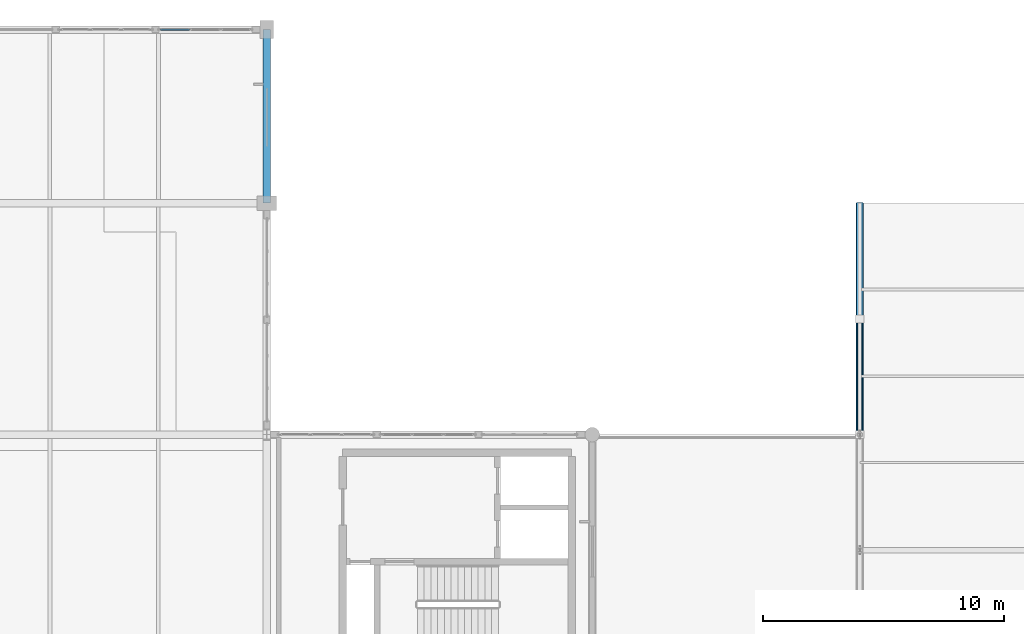
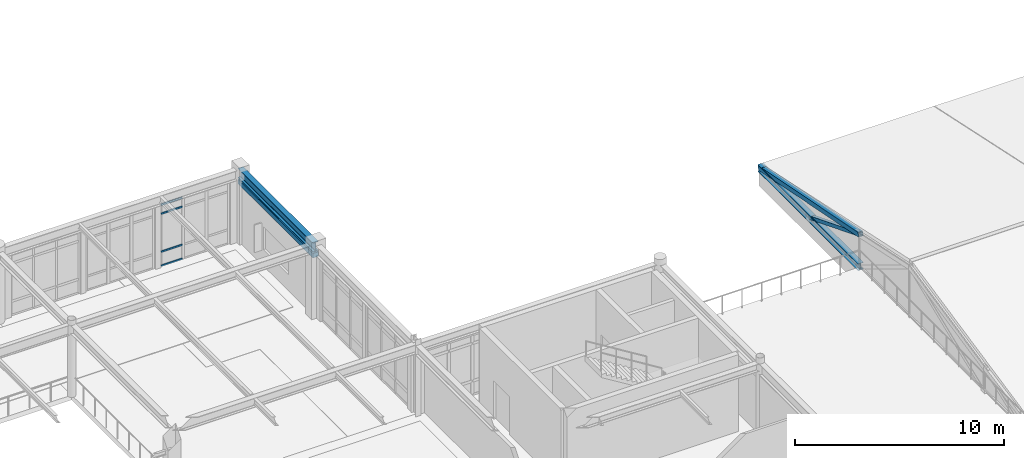
# One storey, part 31 of 61: 7 members, 2 beams, 1 element without a shape of its own.
"""IFC4 building model written with IfcOpenShell, lengths in metres."""

from ifc_helpers import new_model, si_unit, direction, frame, origin, origin_2d, place, context, subcontext, project, spatial, rectangle, hollow_rectangle, i_section, extrude, material, layer, layer_set, material_profile, profile_set, type_object, element, aggregate, save


model = new_model("IFC4")

# Units and contexts
model_context = context("Model", 3, precision=1e-05, world=origin(), true_north=direction((0.0, 1.0)))
body_context = subcontext(model_context, "Body", "Model", "MODEL_VIEW")
ifc_project = project(units=[si_unit("LENGTHUNIT", "METRE"), si_unit("AREAUNIT", "SQUARE_METRE"), si_unit("VOLUMEUNIT", "CUBIC_METRE"), si_unit("PLANEANGLEUNIT", "RADIAN"), si_unit("MASSUNIT", "GRAM", prefix="KILO")], contexts=[model_context])

# Site, building, storey
site_placement = place(None, origin())
site = spatial("IfcSite", under=ifc_project, at=site_placement, CompositionType="ELEMENT")
building_placement = place(site_placement, origin())
building = spatial("IfcBuilding", under=site, at=building_placement, Name="Fikremerkos Civic Library", CompositionType="ELEMENT")
storey_placement = place(building_placement, frame((0.0, 0.0, 14.39990234375)))
storey = spatial("IfcBuildingStorey", under=building, at=storey_placement, Name="L03", CompositionType="ELEMENT", Elevation=14.39990234375)

# Curtain wall, members
ifc_material_1 = material(Name="Anodized aluminium Frame", Category="aluminium")
ifc_layer = layer(ifc_material_1, 0.159912109375, Name="Anodized aluminium Frame")
ifc_layer_set = layer_set([ifc_layer], Name="Anodized aluminium Frame")
curtain_wall_type = type_object("IfcCurtainWallType", Name="Unitised curtain wall CW-06 4200x4100", PredefinedType="USERDEFINED", material=ifc_layer_set)
curtain_wall_placement = place(storey_placement, origin())
curtain_wall = element("IfcCurtainWall", 1, at=curtain_wall_placement, inside=storey, type_object=curtain_wall_type, Name="Unitised curtain wall CW-06 L03 #204", ObjectType="UNITISED CURTAIN WALL", PredefinedType="USERDEFINED")
ifc_material_profile_1 = material_profile(ifc_material_1, hollow_rectangle(XDim=0.06005859375, YDim=0.10009765625, WallThickness=0.00390625, at=origin_2d()), Name="ALU 100x60x4")
ifc_profile_set_1 = profile_set([ifc_material_profile_1], Name="Anodized aluminium Frame")
member_type_1 = type_object("IfcMemberType", Name="Curtain transom CWT-03 ALU 100x60x4", PredefinedType="USERDEFINED", material=ifc_profile_set_1)
member_1_placement = place(storey_placement, frame((95.7939453125, 48.0, 0.030029296875), z_axis=(1.0, 0.0, 0.0), x_axis=(0.0, 1.0, 0.0)))
member_1 = element("IfcMember", 2, at=member_1_placement, type_object=member_type_1, Name="CW-06 transom 1.1", ObjectType="TRANSOM", PredefinedType="USERDEFINED", context=body_context, shape_type="SweptSolid", body=[
    extrude(hollow_rectangle(XDim=0.06005859375, YDim=0.10009765625, WallThickness=0.00390625, at=origin_2d()), origin(), (0.0, 0.0, 1.0), 1.191162109375),
])
member_2_placement = place(storey_placement, frame((95.7939453125, 48.0, 0.85009765625), z_axis=(1.0, 0.0, 0.0), x_axis=(0.0, 1.0, 0.0)))
member_2 = element("IfcMember", 3, at=member_2_placement, type_object=member_type_1, Name="CW-06 transom 1.2", ObjectType="TRANSOM", PredefinedType="USERDEFINED", context=body_context, shape_type="SweptSolid", body=[
    extrude(hollow_rectangle(XDim=0.06005859375, YDim=0.10009765625, WallThickness=0.00390625, at=origin_2d()), origin(), (0.0, 0.0, 1.0), 1.191162109375),
])
member_3_placement = place(storey_placement, frame((95.7939453125, 48.0, 3.070068359375), z_axis=(1.0, 0.0, 0.0), x_axis=(0.0, 1.0, 0.0)))
member_3 = element("IfcMember", 4, at=member_3_placement, type_object=member_type_1, Name="CW-06 transom 1.3", ObjectType="TRANSOM", PredefinedType="USERDEFINED", context=body_context, shape_type="SweptSolid", body=[
    extrude(hollow_rectangle(XDim=0.06005859375, YDim=0.10009765625, WallThickness=0.00390625, at=origin_2d()), origin(), (0.0, 0.0, 1.0), 1.191162109375),
])
member_4_placement = place(storey_placement, frame((95.7939453125, 48.0, 3.590087890625), z_axis=(1.0, 0.0, 0.0), x_axis=(0.0, 1.0, 0.0)))
member_4 = element("IfcMember", 5, at=member_4_placement, type_object=member_type_1, Name="CW-06 transom 1.4", ObjectType="TRANSOM", PredefinedType="USERDEFINED", context=body_context, shape_type="SweptSolid", body=[
    extrude(hollow_rectangle(XDim=0.06005859375, YDim=0.10009765625, WallThickness=0.00390625, at=origin_2d()), origin(), (0.0, 0.0, 1.0), 1.191162109375),
])
aggregate(curtain_wall, [member_1, member_2, member_3, member_4])

# Member
ifc_material_2 = material(Name="Steel S355", Category="steel")
ifc_material_profile_2 = material_profile(ifc_material_2, hollow_rectangle(XDim=0.199951171875, YDim=0.199951171875, WallThickness=0.010009765625, at=origin_2d()), Name="SHS 200x200x10")
ifc_profile_set_2 = profile_set([ifc_material_profile_2], Name="Steel S355")
member_type_2 = type_object("IfcMemberType", Name="Diagonal brace BRC-02 SHS 200x200x10", PredefinedType="BRACE", material=ifc_profile_set_2)
member_5_placement = place(storey_placement, frame((124.800048828125, 36.0, 0.0), z_axis=(0.0, -0.929765812097, 0.368151510461), x_axis=(1.0, 0.0, 0.0)))
element("IfcMember", 6, at=member_5_placement, inside=storey, type_object=member_type_2, Name="Auditorium roof truss diagonal web BRC-02 X=124.8 #4", PredefinedType="BRACE", context=body_context, shape_type="SweptSolid", body=[
    extrude(hollow_rectangle(XDim=0.199951171875, YDim=0.199951171875, WallThickness=0.010009765625, at=origin_2d()), origin(), (0.0, 0.0, 1.0), 5.16259765625),
])

# Beams
ifc_material_3 = material(Name="Concrete C40/50", Category="concrete")
ifc_material_profile_3 = material_profile(ifc_material_3, rectangle(XDim=0.300048828125, YDim=0.260009765625, at=origin_2d()), Name="RC 300x260")
ifc_profile_set_3 = profile_set([ifc_material_profile_3], Name="Concrete C40/50")
beam_type_1 = type_object("IfcBeamType", Name="Opening lintel LNT-02 RC 300x260", PredefinedType="LINTEL", material=ifc_profile_set_3)
beam_1_placement = place(storey_placement, frame((100.199951171875, 48.0, 3.47021484375), z_axis=(0.0, -1.0, 0.0), x_axis=(1.0, 0.0, 0.0)))
element("IfcBeam", 7, at=beam_1_placement, inside=storey, type_object=beam_type_1, Name="Courtyard window head lintel LNT-02 L03 #39", PredefinedType="LINTEL", context=body_context, shape_type="SweptSolid", body=[
    extrude(rectangle(XDim=0.300048828125, YDim=0.260009765625, at=origin_2d()), origin(), (0.0, 0.0, 1.0), 7.199951171875),
])
ifc_material_profile_4 = material_profile(ifc_material_2, i_section(OverallWidth=0.300048828125, OverallDepth=0.5400390625, WebThickness=0.012451171875, FlangeThickness=0.02392578125, FilletRadius=0.027099609375, at=origin_2d()), Name="HEA 550")
ifc_profile_set_4 = profile_set([ifc_material_profile_4], Name="Steel S355")
beam_type_2 = type_object("IfcBeamType", Name="Primary girder BM-16 HEA 550", PredefinedType="BEAM", material=ifc_profile_set_4)
beam_2_placement = place(storey_placement, frame((100.199951171875, 40.800048828125, 3.9501953125), z_axis=(0.0, 1.0, 0.0), x_axis=(-1.0, 0.0, 0.0)))
element("IfcBeam", 8, at=beam_2_placement, inside=storey, type_object=beam_type_2, Name="Primary girder BM-16 L03 grid 9", PredefinedType="BEAM", context=body_context, shape_type="SweptSolid", body=[
    extrude(i_section(OverallWidth=0.300048828125, OverallDepth=0.5400390625, WebThickness=0.012451171875, FlangeThickness=0.02392578125, FilletRadius=0.027099609375, at=origin_2d()), origin(), (0.0, 0.0, 1.0), 7.199951171875),
])

# Members
ifc_material_profile_5 = material_profile(ifc_material_2, i_section(OverallWidth=0.300048828125, OverallDepth=0.39990234375, WebThickness=0.013427734375, FlangeThickness=0.02392578125, FilletRadius=0.027099609375, at=origin_2d()), Name="HEB 400")
ifc_profile_set_5 = profile_set([ifc_material_profile_5], Name="Steel S355")
member_type_3 = type_object("IfcMemberType", Name="Truss chord CHD-01 HEB 400", PredefinedType="CHORD", material=ifc_profile_set_5)
member_6_placement = place(storey_placement, frame((124.800048828125, 31.199951171875, 0.0), z_axis=(0.0, 1.0, 0.0), x_axis=(-1.0, 0.0, 0.0)))
element("IfcMember", 9, at=member_6_placement, inside=storey, type_object=member_type_3, Name="Auditorium roof truss bottom chord CHD-01 X=124.8 #2", PredefinedType="CHORD", context=body_context, shape_type="SweptSolid", body=[
    extrude(i_section(OverallWidth=0.300048828125, OverallDepth=0.39990234375, WebThickness=0.013427734375, FlangeThickness=0.02392578125, FilletRadius=0.027099609375, at=origin_2d()), origin(), (0.0, 0.0, 1.0), 9.60009765625),
])
ifc_material_profile_6 = material_profile(ifc_material_2, hollow_rectangle(XDim=0.260009765625, YDim=0.260009765625, WallThickness=0.01416015625, at=origin_2d()), Name="SHS 260x260x14.2")
ifc_profile_set_6 = profile_set([ifc_material_profile_6], Name="Steel S355")
member_type_4 = type_object("IfcMemberType", Name="Truss chord CHD-03 SHS 260x260x14.2", PredefinedType="CHORD", material=ifc_profile_set_6)
member_7_placement = place(storey_placement, frame((124.800048828125, 31.199951171875, 1.900634765625), z_axis=(0.0, 0.980959745125, -0.194211169722), x_axis=(-1.0, 0.0, 0.0)))
element("IfcMember", 10, at=member_7_placement, inside=storey, type_object=member_type_4, Name="Auditorium roof truss top chord CHD-03 X=124.8 #4", PredefinedType="CHORD", context=body_context, shape_type="SweptSolid", body=[
    extrude(hollow_rectangle(XDim=0.260009765625, YDim=0.260009765625, WallThickness=0.01416015625, at=origin_2d()), origin(), (0.0, 0.0, 1.0), 9.786376953125),
])

save(model, "model.ifc")
